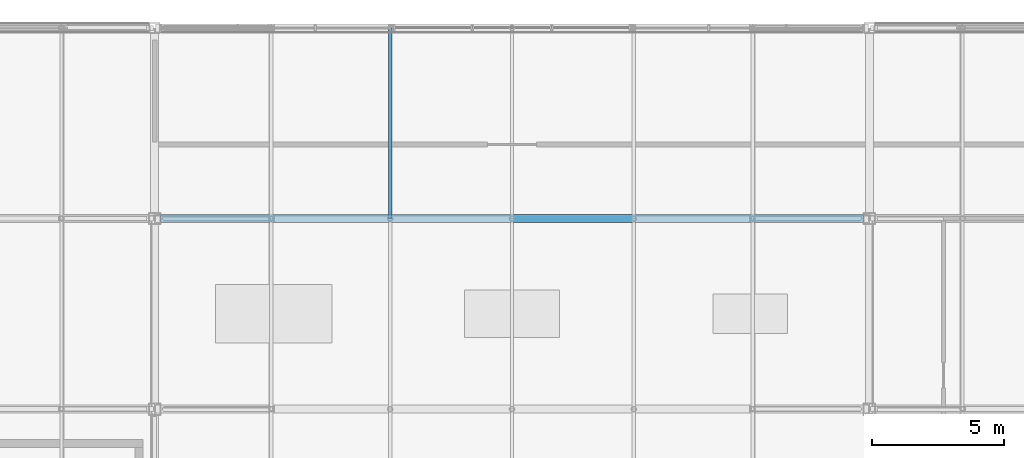
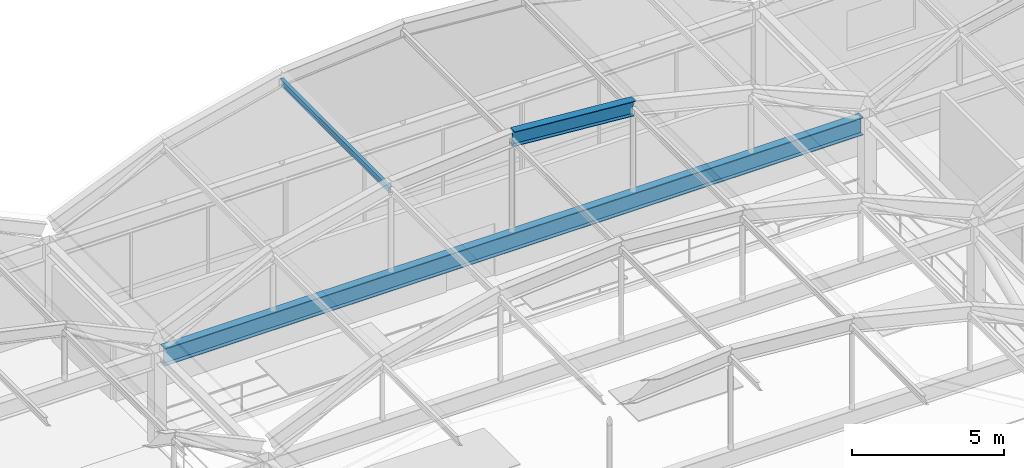
# One storey, part 63 of 106: 2 members, 1 beam.
"""IFC4 building model written with IfcOpenShell, lengths in metres."""

from ifc_helpers import new_model, si_unit, direction, frame, origin, origin_2d, place, context, subcontext, project, spatial, i_section, extrude, material, material_profile, profile_set, type_object, element, save


model = new_model("IFC4")

# Units and contexts
model_context = context("Model", 3, precision=1e-05, world=origin(), true_north=direction((0.0, 1.0)))
body_context = subcontext(model_context, "Body", "Model", "MODEL_VIEW")
ifc_project = project(units=[si_unit("LENGTHUNIT", "METRE"), si_unit("AREAUNIT", "SQUARE_METRE"), si_unit("VOLUMEUNIT", "CUBIC_METRE"), si_unit("PLANEANGLEUNIT", "RADIAN"), si_unit("MASSUNIT", "GRAM", prefix="KILO")], contexts=[model_context])

# Site, building, storey
site_placement = place(None, origin())
site = spatial("IfcSite", under=ifc_project, at=site_placement, CompositionType="ELEMENT")
building_placement = place(site_placement, origin())
building = spatial("IfcBuilding", under=site, at=building_placement, Name="Kazanami Central Library", CompositionType="ELEMENT")
storey_placement = place(building_placement, frame((0.0, 0.0, 12.800048828125)))
storey = spatial("IfcBuildingStorey", under=building, at=storey_placement, Name="L04", CompositionType="ELEMENT", Elevation=12.800048828125)

# Beam
ifc_material_1 = material(Name="Steel SN490B (325 MPa)", Category="steel")
ifc_material_profile_1 = material_profile(ifc_material_1, i_section(OverallWidth=0.300048828125, OverallDepth=0.699951171875, WebThickness=0.012939453125, FlangeThickness=0.02392578125, at=origin_2d()), Name="H-700x300x13x24")
ifc_profile_set_1 = profile_set([ifc_material_profile_1], Name="Steel SN490B (325 MPa)")
beam_type = type_object("IfcBeamType", Name="BM-G-AT", PredefinedType="BEAM", material=ifc_profile_set_1)
beam_placement = place(storey_placement, frame((63.222900390625, 86.39990234375, 3.429931640625), z_axis=(1.0, 0.0, 0.0), x_axis=(0.0, 1.0, 0.0)))
element("IfcBeam", 1, at=beam_placement, inside=storey, type_object=beam_type, Name="Barrel Vault Springing Tie Girder G-AT L04 C Grid N", PredefinedType="BEAM", context=body_context, shape_type="SweptSolid", body=[
    extrude(i_section(OverallWidth=0.300048828125, OverallDepth=0.699951171875, WebThickness=0.012939453125, FlangeThickness=0.02392578125, at=origin_2d()), origin(), (0.0, 0.0, 1.0), 26.55419921875),
])

# Members
ifc_material_profile_2 = material_profile(ifc_material_1, i_section(OverallWidth=0.300048828125, OverallDepth=0.587890625, WebThickness=0.011962890625, FlangeThickness=0.02001953125, at=origin_2d()), Name="H-588x300x12x20")
ifc_profile_set_2 = profile_set([ifc_material_profile_2], Name="Steel SN490B (325 MPa)")
member_type_1 = type_object("IfcMemberType", Name="MEM-AR-01", PredefinedType="CHORD", material=ifc_profile_set_2)
member_1_placement = place(storey_placement, frame((76.5, 86.39990234375, 7.549072265625), z_axis=(0.99683088961, 0.0, -0.079549842985), x_axis=(0.0, 1.0, 0.0)))
element("IfcMember", 2, at=member_1_placement, inside=storey, type_object=member_type_1, Name="Barrel Vault Arch Rib AR-01 VAULT-MAIN Grid N Seg 4", PredefinedType="CHORD", context=body_context, shape_type="SweptSolid", body=[
    extrude(i_section(OverallWidth=0.300048828125, OverallDepth=0.587890625, WebThickness=0.011962890625, FlangeThickness=0.02001953125, at=origin_2d()), origin(), (0.0, 0.0, 1.0), 4.618896484375),
])
ifc_material_2 = material(Name="Steel SN400B (235 MPa)", Category="steel")
ifc_material_profile_3 = material_profile(ifc_material_2, i_section(OverallWidth=0.125, OverallDepth=0.25, WebThickness=0.006103515625, FlangeThickness=0.009033203125, at=origin_2d()), Name="H-250x125x6x9")
ifc_profile_set_3 = profile_set([ifc_material_profile_3], Name="Steel SN400B (235 MPa)")
member_type_2 = type_object("IfcMemberType", Name="MEM-PUR-250", PredefinedType="PURLIN", material=ifc_profile_set_3)
member_2_placement = place(storey_placement, frame((71.895751953125, 86.405029296875, 7.041748046875), z_axis=(0.0, 1.0, 0.0), x_axis=(-1.0, 0.0, 0.0)))
element("IfcMember", 3, at=member_2_placement, inside=storey, type_object=member_type_2, Name="Barrel Vault Longitudinal Purlin VAULT-MAIN Knuckle 2.4", PredefinedType="PURLIN", context=body_context, shape_type="SweptSolid", body=[
    extrude(i_section(OverallWidth=0.125, OverallDepth=0.25, WebThickness=0.006103515625, FlangeThickness=0.009033203125, at=origin_2d()), origin(), (0.0, 0.0, 1.0), 7.18994140625),
])

save(model, "model.ifc")
